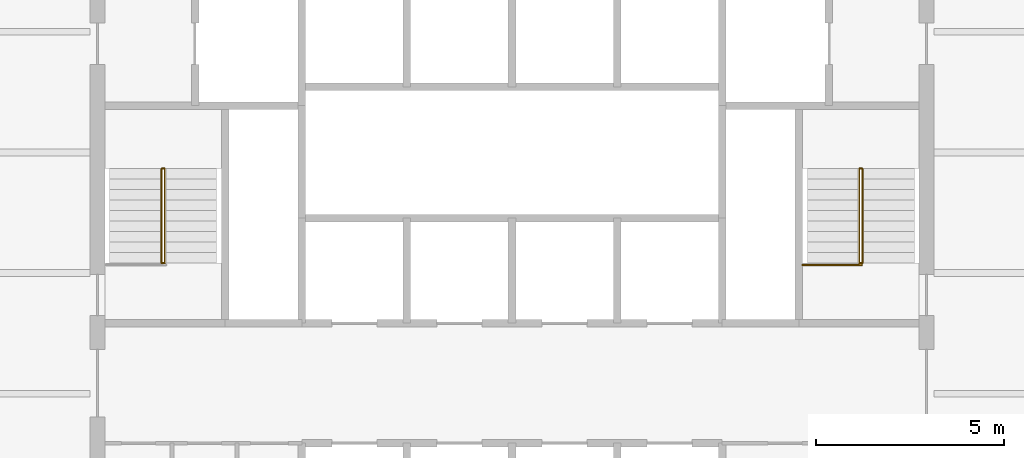
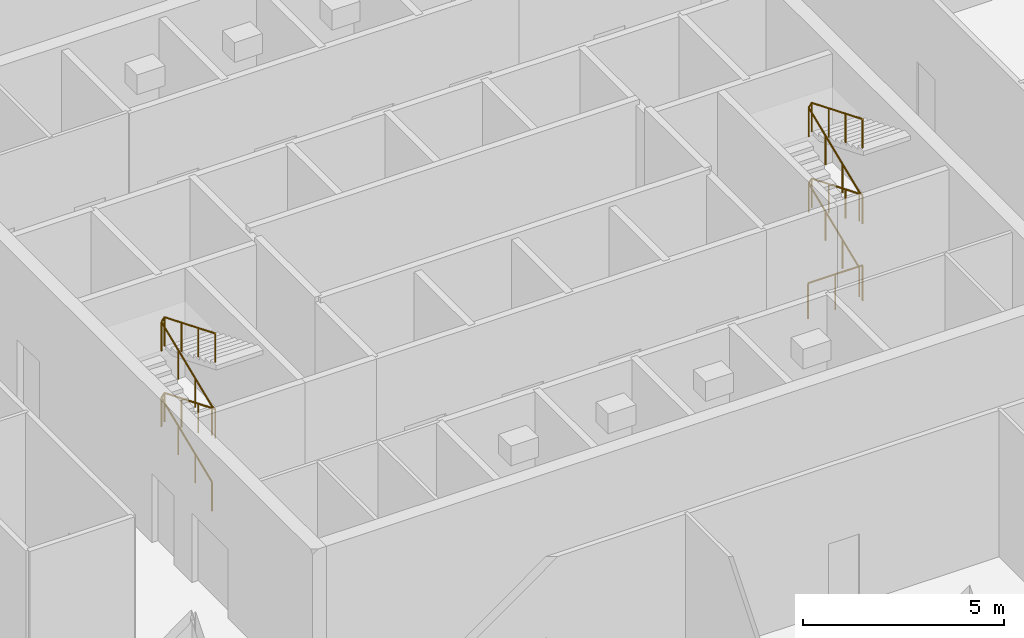
# One storey, part 14 of 14: 3 railings.
"""IFC4 building model written with IfcOpenShell, lengths in metres."""

from ifc_helpers import new_model, si_unit, direction, frame, origin, origin_2d, place, context, subcontext, project, spatial, circle, extrude, material, type_object, element, save


model = new_model("IFC4")

# Units and contexts
model_context = context("Model", 3, precision=1e-05, world=origin(), true_north=direction((0.0, 1.0)))
body_context = subcontext(model_context, "Body", "Model", "MODEL_VIEW")
ifc_project = project(units=[si_unit("LENGTHUNIT", "METRE"), si_unit("AREAUNIT", "SQUARE_METRE"), si_unit("VOLUMEUNIT", "CUBIC_METRE"), si_unit("PLANEANGLEUNIT", "RADIAN"), si_unit("MASSUNIT", "GRAM", prefix="KILO")], contexts=[model_context])

# Site, building, storey
site_placement = place(None, origin())
site = spatial("IfcSite", under=ifc_project, at=site_placement, CompositionType="ELEMENT")
building_placement = place(site_placement, origin())
building = spatial("IfcBuilding", under=site, at=building_placement, Name="Quoin Convention Tower", CompositionType="ELEMENT")
storey_placement = place(building_placement, frame((0.0, 0.0, 143.10009765625)))
storey = spatial("IfcBuildingStorey", under=building, at=storey_placement, Name="L37", CompositionType="ELEMENT", Elevation=143.10009765625)

# Railings
ifc_material = material(Name="Stainless steel", Category="steel")
railing_type_1 = type_object("IfcRailingType", Name="Stair handrail 900", PredefinedType="HANDRAIL", material=ifc_material)
railing_1_placement = place(storey_placement, frame((46.905029296875, 57.800048828125, 0.114990234375)))
element("IfcRailing", 1, at=railing_1_placement, inside=storey, type_object=railing_type_1, Name="SD1 handrail 1", PredefinedType="HANDRAIL", context=body_context, shape_type="SweptSolid", body=[
    extrude(circle(Radius=0.02392578125, at=origin_2d()), frame((0.0, 0.0, 0.8759765625), z_axis=(0.0, 0.925032190732, 0.379888728591), x_axis=(-1.0, 0.0, 0.0)), (0.0, 0.0, 1.0), 2.724365234375),
    extrude(circle(Radius=0.02392578125, at=origin_2d()), frame((0.0, 2.52001953125, 1.91064453125), z_axis=(0.616713761842, 0.0, 0.787187484628), x_axis=(0.0, 1.0, 0.0)), (0.0, 0.0, 1.0), 0.14599609375),
    extrude(circle(Radius=0.02392578125, at=origin_2d()), frame((0.090087890625, 2.52001953125, 2.02587890625), z_axis=(0.0, -0.925032190732, 0.379888728591), x_axis=(1.0, 0.0, 0.0)), (0.0, 0.0, 1.0), 2.724365234375),
    extrude(circle(Radius=0.02392578125, at=origin_2d()), frame((0.090087890625, 0.0, 3.060546875), z_axis=(-0.616713761842, 0.0, 0.787187484628), x_axis=(0.0, -1.0, 0.0)), (0.0, 0.0, 1.0), 0.14599609375),
    extrude(circle(Radius=0.02392578125, at=origin_2d()), frame((0.0, 0.0, 3.17578125), z_axis=(0.0, 0.92500069619, 0.379965409014), x_axis=(-1.0, 0.0, 0.0)), (0.0, 0.0, 1.0), 2.724365234375),
    extrude(circle(Radius=0.02392578125, at=origin_2d()), frame((0.0, 2.52001953125, 4.2109375), z_axis=(0.616713761842, 0.0, 0.787187484628), x_axis=(0.0, 1.0, 0.0)), (0.0, 0.0, 1.0), 0.14599609375),
    extrude(circle(Radius=0.02392578125, at=origin_2d()), frame((0.090087890625, 2.52001953125, 4.32568359375), z_axis=(0.0, -0.925032190732, 0.379888728591), x_axis=(1.0, 0.0, 0.0)), (0.0, 0.0, 1.0), 2.724365234375),
    extrude(circle(Radius=0.02099609375, at=origin_2d()), origin(), (0.0, 0.0, 1.0), 0.851806640625),
    extrude(circle(Radius=0.02099609375, at=origin_2d()), frame((0.0, 0.840087890625, 0.344970703125)), (0.0, 0.0, 1.0), 0.851806640625),
    extrude(circle(Radius=0.02099609375, at=origin_2d()), frame((0.0, 1.679931640625, 0.68994140625)), (0.0, 0.0, 1.0), 0.851806640625),
    extrude(circle(Radius=0.02099609375, at=origin_2d()), frame((0.0, 2.52001953125, 1.034912109375)), (0.0, 0.0, 1.0), 0.851806640625),
    extrude(circle(Radius=0.02099609375, at=origin_2d()), frame((0.090087890625, 2.52001953125, 1.14990234375)), (0.0, 0.0, 1.0), 0.851806640625),
    extrude(circle(Radius=0.02099609375, at=origin_2d()), frame((0.090087890625, 1.679931640625, 1.494873046875)), (0.0, 0.0, 1.0), 0.851806640625),
    extrude(circle(Radius=0.02099609375, at=origin_2d()), frame((0.090087890625, 0.840087890625, 1.83984375)), (0.0, 0.0, 1.0), 0.851806640625),
    extrude(circle(Radius=0.02099609375, at=origin_2d()), frame((0.090087890625, 0.0, 2.184814453125)), (0.0, 0.0, 1.0), 0.851806640625),
    extrude(circle(Radius=0.02099609375, at=origin_2d()), frame((0.0, 0.0, 2.2998046875)), (0.0, 0.0, 1.0), 0.851806640625),
    extrude(circle(Radius=0.02099609375, at=origin_2d()), frame((0.0, 0.840087890625, 2.644775390625)), (0.0, 0.0, 1.0), 0.851806640625),
    extrude(circle(Radius=0.02099609375, at=origin_2d()), frame((0.0, 1.679931640625, 2.989990234375)), (0.0, 0.0, 1.0), 0.851806640625),
    extrude(circle(Radius=0.02099609375, at=origin_2d()), frame((0.0, 2.52001953125, 3.3349609375)), (0.0, 0.0, 1.0), 0.851806640625),
    extrude(circle(Radius=0.02099609375, at=origin_2d()), frame((0.090087890625, 2.52001953125, 3.449951171875)), (0.0, 0.0, 1.0), 0.851806640625),
    extrude(circle(Radius=0.02099609375, at=origin_2d()), frame((0.090087890625, 1.679931640625, 3.794921875)), (0.0, 0.0, 1.0), 0.851806640625),
    extrude(circle(Radius=0.02099609375, at=origin_2d()), frame((0.090087890625, 0.840087890625, 4.139892578125)), (0.0, 0.0, 1.0), 0.851806640625),
    extrude(circle(Radius=0.02099609375, at=origin_2d()), frame((0.090087890625, 0.0, 4.48486328125)), (0.0, 0.0, 1.0), 0.851806640625),
])
railing_2_placement = place(storey_placement, frame((65.5048828125, 57.800048828125, 0.114990234375)))
element("IfcRailing", 2, at=railing_2_placement, inside=storey, type_object=railing_type_1, Name="SD2 handrail 1", PredefinedType="HANDRAIL", context=body_context, shape_type="SweptSolid", body=[
    extrude(circle(Radius=0.02392578125, at=origin_2d()), frame((0.0, 0.0, 0.8759765625), z_axis=(0.0, 0.925032190732, 0.379888728591), x_axis=(-1.0, 0.0, 0.0)), (0.0, 0.0, 1.0), 2.724365234375),
    extrude(circle(Radius=0.02392578125, at=origin_2d()), frame((0.0, 2.52001953125, 1.91064453125), z_axis=(0.616713761842, 0.0, 0.787187484628), x_axis=(0.0, 1.0, 0.0)), (0.0, 0.0, 1.0), 0.14599609375),
    extrude(circle(Radius=0.02392578125, at=origin_2d()), frame((0.090087890625, 2.52001953125, 2.02587890625), z_axis=(0.0, -0.925032190732, 0.379888728591), x_axis=(1.0, 0.0, 0.0)), (0.0, 0.0, 1.0), 2.724365234375),
    extrude(circle(Radius=0.02392578125, at=origin_2d()), frame((0.090087890625, 0.0, 3.060546875), z_axis=(-0.616713761842, 0.0, 0.787187484628), x_axis=(0.0, -1.0, 0.0)), (0.0, 0.0, 1.0), 0.14599609375),
    extrude(circle(Radius=0.02392578125, at=origin_2d()), frame((0.0, 0.0, 3.17578125), z_axis=(0.0, 0.92500069619, 0.379965409014), x_axis=(-1.0, 0.0, 0.0)), (0.0, 0.0, 1.0), 2.724365234375),
    extrude(circle(Radius=0.02392578125, at=origin_2d()), frame((0.0, 2.52001953125, 4.2109375), z_axis=(0.616713761842, 0.0, 0.787187484628), x_axis=(0.0, 1.0, 0.0)), (0.0, 0.0, 1.0), 0.14599609375),
    extrude(circle(Radius=0.02392578125, at=origin_2d()), frame((0.090087890625, 2.52001953125, 4.32568359375), z_axis=(0.0, -0.925032190732, 0.379888728591), x_axis=(1.0, 0.0, 0.0)), (0.0, 0.0, 1.0), 2.724365234375),
    extrude(circle(Radius=0.02099609375, at=origin_2d()), origin(), (0.0, 0.0, 1.0), 0.851806640625),
    extrude(circle(Radius=0.02099609375, at=origin_2d()), frame((0.0, 0.840087890625, 0.344970703125)), (0.0, 0.0, 1.0), 0.851806640625),
    extrude(circle(Radius=0.02099609375, at=origin_2d()), frame((0.0, 1.679931640625, 0.68994140625)), (0.0, 0.0, 1.0), 0.851806640625),
    extrude(circle(Radius=0.02099609375, at=origin_2d()), frame((0.0, 2.52001953125, 1.034912109375)), (0.0, 0.0, 1.0), 0.851806640625),
    extrude(circle(Radius=0.02099609375, at=origin_2d()), frame((0.090087890625, 2.52001953125, 1.14990234375)), (0.0, 0.0, 1.0), 0.851806640625),
    extrude(circle(Radius=0.02099609375, at=origin_2d()), frame((0.090087890625, 1.679931640625, 1.494873046875)), (0.0, 0.0, 1.0), 0.851806640625),
    extrude(circle(Radius=0.02099609375, at=origin_2d()), frame((0.090087890625, 0.840087890625, 1.83984375)), (0.0, 0.0, 1.0), 0.851806640625),
    extrude(circle(Radius=0.02099609375, at=origin_2d()), frame((0.090087890625, 0.0, 2.184814453125)), (0.0, 0.0, 1.0), 0.851806640625),
    extrude(circle(Radius=0.02099609375, at=origin_2d()), frame((0.0, 0.0, 2.2998046875)), (0.0, 0.0, 1.0), 0.851806640625),
    extrude(circle(Radius=0.02099609375, at=origin_2d()), frame((0.0, 0.840087890625, 2.644775390625)), (0.0, 0.0, 1.0), 0.851806640625),
    extrude(circle(Radius=0.02099609375, at=origin_2d()), frame((0.0, 1.679931640625, 2.989990234375)), (0.0, 0.0, 1.0), 0.851806640625),
    extrude(circle(Radius=0.02099609375, at=origin_2d()), frame((0.0, 2.52001953125, 3.3349609375)), (0.0, 0.0, 1.0), 0.851806640625),
    extrude(circle(Radius=0.02099609375, at=origin_2d()), frame((0.090087890625, 2.52001953125, 3.449951171875)), (0.0, 0.0, 1.0), 0.851806640625),
    extrude(circle(Radius=0.02099609375, at=origin_2d()), frame((0.090087890625, 1.679931640625, 3.794921875)), (0.0, 0.0, 1.0), 0.851806640625),
    extrude(circle(Radius=0.02099609375, at=origin_2d()), frame((0.090087890625, 0.840087890625, 4.139892578125)), (0.0, 0.0, 1.0), 0.851806640625),
    extrude(circle(Radius=0.02099609375, at=origin_2d()), frame((0.090087890625, 0.0, 4.48486328125)), (0.0, 0.0, 1.0), 0.851806640625),
])
railing_type_2 = type_object("IfcRailingType", Name="Stair top guard 1100", PredefinedType="GUARDRAIL", material=ifc_material)
railing_3_placement = place(storey_placement, frame((64.0, 57.75, 0.0)))
element("IfcRailing", 3, at=railing_3_placement, inside=storey, type_object=railing_type_2, Name="SD2 top guard", PredefinedType="GUARDRAIL", context=body_context, shape_type="SweptSolid", body=[
    extrude(circle(Radius=0.02392578125, at=origin_2d()), frame((0.0, 0.0, 1.076171875), z_axis=(1.0, 0.0, 0.0), x_axis=(0.0, 1.0, 0.0)), (0.0, 0.0, 1.0), 1.570068359375),
    extrude(circle(Radius=0.02099609375, at=origin_2d()), origin(), (0.0, 0.0, 1.0), 1.052001953125),
    extrude(circle(Radius=0.02099609375, at=origin_2d()), frame((0.78515625, 0.0, 0.0)), (0.0, 0.0, 1.0), 1.052001953125),
    extrude(circle(Radius=0.02099609375, at=origin_2d()), frame((1.570068359375, 0.0, 0.0)), (0.0, 0.0, 1.0), 1.052001953125),
])

save(model, "model.ifc")
